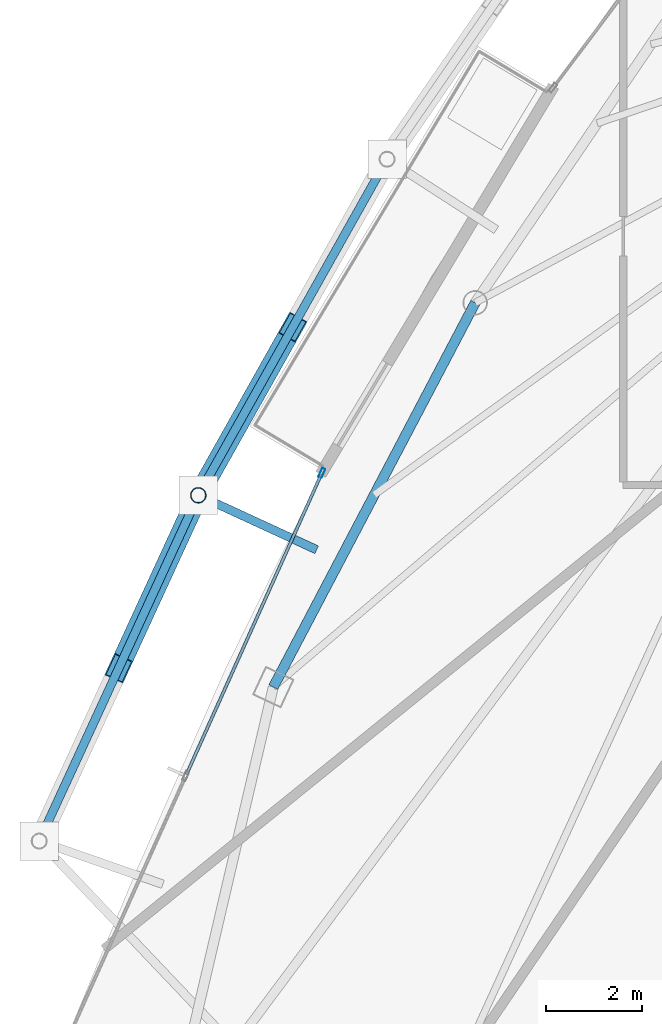
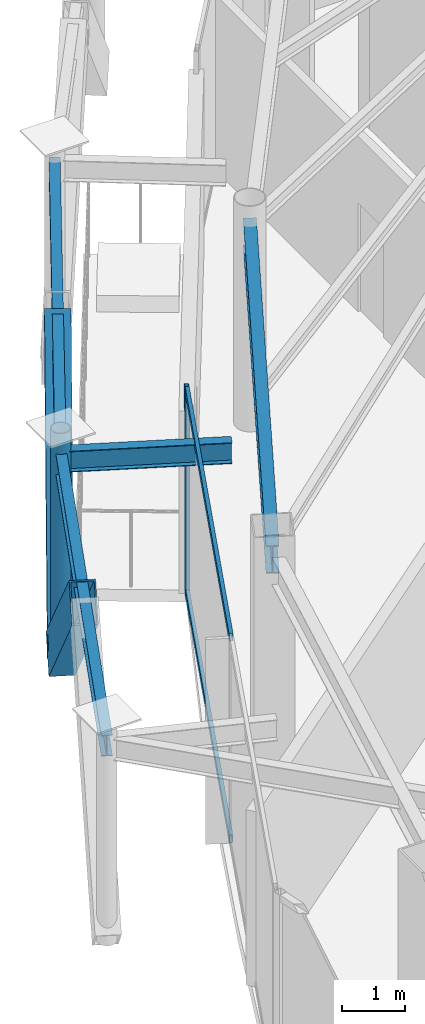
# One storey, part 8 of 22: 6 members, 4 beams, 1 element without a shape of its own.
"""IFC4 building model written with IfcOpenShell, lengths in metres."""

from ifc_helpers import new_model, si_unit, direction, frame, origin, origin_2d, place, context, subcontext, project, spatial, hollow_rectangle, hollow_circle, i_section, extrude, material, layer, layer_set, material_profile, profile_set, type_object, element, aggregate, save


model = new_model("IFC4")

# Units and contexts
model_context = context("Model", 3, precision=1e-05, world=origin(), true_north=direction((0.0, 1.0)))
body_context = subcontext(model_context, "Body", "Model", "MODEL_VIEW")
ifc_project = project(units=[si_unit("LENGTHUNIT", "METRE"), si_unit("AREAUNIT", "SQUARE_METRE"), si_unit("VOLUMEUNIT", "CUBIC_METRE"), si_unit("PLANEANGLEUNIT", "RADIAN"), si_unit("MASSUNIT", "GRAM", prefix="KILO")], contexts=[model_context])

# Site, building, storey
site_placement = place(None, origin())
site = spatial("IfcSite", under=ifc_project, at=site_placement, CompositionType="ELEMENT")
building_placement = place(site_placement, origin())
building = spatial("IfcBuilding", under=site, at=building_placement, Name="Orvanel Arch Residences", CompositionType="ELEMENT")
storey_placement = place(building_placement, frame((0.0, 0.0, 276.64990234375)))
storey = spatial("IfcBuildingStorey", under=building, at=storey_placement, Name="L79", CompositionType="ELEMENT", Elevation=276.64990234375)

# Members
ifc_material_1 = material(Name="Structural steel AS/NZS 3678 Grade 350", Category="steel")
ifc_material_profile_1 = material_profile(ifc_material_1, hollow_rectangle(XDim=0.419921875, YDim=0.719970703125, WallThickness=0.02490234375, at=origin_2d()), Name="RHS720x420x25")
ifc_profile_set_1 = profile_set([ifc_material_profile_1], Name="Structural steel AS/NZS 3678 Grade 350")
member_type_1 = type_object("IfcMemberType", Name="BR-720RHS-EXT", PredefinedType="BRACE", material=ifc_profile_set_1)
member_1_placement = place(storey_placement, frame((14.806884765625, 23.634033203125, 0.0), z_axis=(0.357794266116, 0.637225139206, 0.682588737893), x_axis=(-0.871952337012, 0.489590769909, 0.0)))
element("IfcMember", 1, at=member_1_placement, inside=storey, type_object=member_type_1, Name="L79 Exterior Sky-Garden V-Frame Chevron F1B2.2", PredefinedType="BRACE", context=body_context, shape_type="SweptSolid", body=[
    extrude(hollow_rectangle(XDim=0.419921875, YDim=0.719970703125, WallThickness=0.02490234375, at=origin_2d()), origin(), (0.0, 0.0, 1.0), 5.489501953125),
])
member_2_placement = place(storey_placement, frame((14.806884765625, 23.634033203125, 0.0), z_axis=(-0.303680199898, -0.66001083693, 0.687141929535), x_axis=(0.908451143188, -0.417991053062, 0.0)))
element("IfcMember", 2, at=member_2_placement, inside=storey, type_object=member_type_1, Name="L79 Exterior Sky-Garden V-Frame Chevron F1B3.1", PredefinedType="BRACE", context=body_context, shape_type="SweptSolid", body=[
    extrude(hollow_rectangle(XDim=0.419921875, YDim=0.719970703125, WallThickness=0.02490234375, at=origin_2d()), origin(), (0.0, 0.0, 1.0), 5.453125),
])

# Curtain wall, member
ifc_material_2 = material(Name="Bronze-anodised aluminium AA6063-T6", Category="aluminium")
ifc_layer = layer(ifc_material_2, 0.195068359375)
ifc_layer_set = layer_set([ifc_layer], Name="Bronze-anodised aluminium AA6063-T6")
curtain_wall_type = type_object("IfcCurtainWallType", Name="CW6-COM-SYS", PredefinedType="NOTDEFINED", material=ifc_layer_set)
curtain_wall_placement = place(storey_placement, origin())
curtain_wall = element("IfcCurtainWall", 3, at=curtain_wall_placement, inside=storey, type_object=curtain_wall_type, Name="L79 CW6-COM-SYS Unitised Curtain Wall", PredefinedType="NOTDEFINED")
ifc_material_profile_2 = material_profile(ifc_material_2, hollow_rectangle(XDim=0.074951171875, YDim=0.199951171875, WallThickness=0.0048828125, at=origin_2d()), Name="ALU200x75x5")
ifc_profile_set_2 = profile_set([ifc_material_profile_2], Name="Bronze-anodised aluminium AA6063-T6")
member_type_2 = type_object("IfcMemberType", Name="MUL-200x75", PredefinedType="MULLION", material=ifc_profile_set_2)
member_3_placement = place(storey_placement, frame((17.378662109375, 24.100830078125, 0.0), z_axis=(0.0, 0.0, 1.0), x_axis=(0.91225362662, -0.409625830142, 0.0)))
member_3 = element("IfcMember", 4, at=member_3_placement, type_object=member_type_2, Name="CW-S6 mullion 1", PredefinedType="MULLION", context=body_context, shape_type="SweptSolid", body=[
    extrude(hollow_rectangle(XDim=0.074951171875, YDim=0.199951171875, WallThickness=0.0048828125, at=origin_2d()), origin(), (0.0, 0.0, 1.0), 3.9501953125),
])

# Beams
ifc_material_3 = material(Name="Structural steel AS/NZS 3679.1 Grade 300 (300 MPa)", Category="steel")
ifc_material_profile_3 = material_profile(ifc_material_3, i_section(OverallWidth=0.177978515625, OverallDepth=0.406005859375, WebThickness=0.0078125, FlangeThickness=0.0126953125, at=origin_2d()), Name="410UB59.7")
ifc_profile_set_3 = profile_set([ifc_material_profile_3], Name="Structural steel AS/NZS 3679.1 Grade 300 (300 MPa)")
beam_type_1 = type_object("IfcBeamType", Name="OB-410UB-EXT", PredefinedType="SPANDREL", material=ifc_profile_set_3)
beam_1_placement = place(storey_placement, frame((18.735107421875, 30.62890625, 3.7470703125), z_axis=(-0.489655726269, -0.871915861613, 0.0), x_axis=(0.871915861613, -0.489655726269, 0.0)))
element("IfcBeam", 5, at=beam_1_placement, inside=storey, type_object=beam_type_1, Name="L79 Outer Perimeter Floor Ring Beam 02", PredefinedType="SPANDREL", context=body_context, shape_type="SweptSolid", body=[
    extrude(i_section(OverallWidth=0.177978515625, OverallDepth=0.406005859375, WebThickness=0.0078125, FlangeThickness=0.0126953125, at=origin_2d()), origin(), (0.0, 0.0, 1.0), 8.0224609375),
])
beam_2_placement = place(storey_placement, frame((17.27001953125, 22.5, 3.7470703125), z_axis=(-0.908351621436, 0.418207283335, 0.0), x_axis=(-0.418207283335, -0.908351621436, 0.0)))
element("IfcBeam", 6, at=beam_2_placement, inside=storey, type_object=beam_type_1, Name="L79 Outer Frame Radial Tie Beam 03", PredefinedType="SPANDREL", context=body_context, shape_type="SweptSolid", body=[
    extrude(i_section(OverallWidth=0.177978515625, OverallDepth=0.406005859375, WebThickness=0.0078125, FlangeThickness=0.0126953125, at=origin_2d()), origin(), (0.0, 0.0, 1.0), 2.711669921875),
])
beam_3_placement = place(storey_placement, frame((14.806884765625, 23.634033203125, 3.7470703125), z_axis=(-0.418024129196, -0.908435923668, 0.0), x_axis=(0.908435923668, -0.418024129196, 0.0)))
element("IfcBeam", 7, at=beam_3_placement, inside=storey, type_object=beam_type_1, Name="L79 Outer Perimeter Floor Ring Beam 03", PredefinedType="SPANDREL", context=body_context, shape_type="SweptSolid", body=[
    extrude(i_section(OverallWidth=0.177978515625, OverallDepth=0.406005859375, WebThickness=0.0078125, FlangeThickness=0.0126953125, at=origin_2d()), origin(), (0.0, 0.0, 1.0), 7.92236328125),
])
ifc_material_profile_4 = material_profile(ifc_material_3, i_section(OverallWidth=0.208984375, OverallDepth=0.532958984375, WebThickness=0.01025390625, FlangeThickness=0.015625, at=origin_2d()), Name="530UB92.4")
ifc_profile_set_4 = profile_set([ifc_material_profile_4], Name="Structural steel AS/NZS 3679.1 Grade 300 (300 MPa)")
beam_type_2 = type_object("IfcBeamType", Name="SP-530UB", PredefinedType="SPANDREL", material=ifc_profile_set_4)
beam_4_placement = place(storey_placement, frame((20.569091796875, 27.64111328125, 3.68408203125), z_axis=(-0.465064762793, -0.885276660942, 0.0), x_axis=(0.885276660942, -0.465064762793, 0.0)))
element("IfcBeam", 8, at=beam_4_placement, inside=storey, type_object=beam_type_2, Name="L79 Perimeter Spandrel Beam 12", PredefinedType="SPANDREL", context=body_context, shape_type="SweptSolid", body=[
    extrude(i_section(OverallWidth=0.208984375, OverallDepth=0.532958984375, WebThickness=0.01025390625, FlangeThickness=0.015625, at=origin_2d()), origin(), (0.0, 0.0, 1.0), 9.03564453125),
])

# Member
ifc_material_4 = material(Name="Structural steel AS/NZS 1163 C350L0 (Grade 350)", Category="steel")
ifc_material_profile_5 = material_profile(ifc_material_4, hollow_circle(Radius=0.162109375, WallThickness=0.0126953125, at=origin_2d()), Name="CHS324x12.7")
ifc_profile_set_5 = profile_set([ifc_material_profile_5], Name="Structural steel AS/NZS 1163 C350L0 (Grade 350)")
member_type_3 = type_object("IfcMemberType", Name="ST-324CHS-EXT", PredefinedType="STRUT", material=ifc_profile_set_5)
member_4_placement = place(storey_placement, frame((14.806884765625, 23.634033203125, 0.0), z_axis=(0.0, 0.0, 1.0), x_axis=(1.0, 0.0, 0.0)))
element("IfcMember", 9, at=member_4_placement, inside=storey, type_object=member_type_3, Name="L79 Outer Perimeter Frame Post 03", PredefinedType="STRUT", context=body_context, shape_type="SweptSolid", body=[
    extrude(hollow_circle(Radius=0.162109375, WallThickness=0.0126953125, at=origin_2d()), origin(), (0.0, 0.0, 1.0), 4.35009765625),
])

ifc_material_profile_6 = material_profile(ifc_material_2, hollow_rectangle(XDim=0.06494140625, YDim=0.14990234375, WallThickness=0.00390625, at=origin_2d()), Name="ALU150x65x4")
ifc_profile_set_6 = profile_set([ifc_material_profile_6], Name="Bronze-anodised aluminium AA6063-T6")
member_type_4 = type_object("IfcMemberType", Name="TRN-150x65", PredefinedType="USERDEFINED", material=ifc_profile_set_6)
member_5_placement = place(storey_placement, frame((17.36328125, 24.066650390625, 0.03271484375), z_axis=(-0.409629812093, -0.912251838609, 0.0), x_axis=(0.912251838609, -0.409629812093, 0.0)))
member_5 = element("IfcMember", 10, at=member_5_placement, type_object=member_type_4, Name="CW-S6 transom 1.1", ObjectType="TRANSOM", PredefinedType="USERDEFINED", context=body_context, shape_type="SweptSolid", body=[
    extrude(hollow_rectangle(XDim=0.06494140625, YDim=0.14990234375, WallThickness=0.00390625, at=origin_2d()), origin(), (0.0, 0.0, 1.0), 6.839111328125),
])

member_6_placement = place(storey_placement, frame((17.36328125, 24.066650390625, 3.91748046875), z_axis=(-0.409629812093, -0.912251838609, 0.0), x_axis=(0.912251838609, -0.409629812093, 0.0)))
member_6 = element("IfcMember", 11, at=member_6_placement, type_object=member_type_4, Name="CW-S6 transom 1.2", ObjectType="TRANSOM", PredefinedType="USERDEFINED", context=body_context, shape_type="SweptSolid", body=[
    extrude(hollow_rectangle(XDim=0.06494140625, YDim=0.14990234375, WallThickness=0.00390625, at=origin_2d()), origin(), (0.0, 0.0, 1.0), 6.839111328125),
])

aggregate(curtain_wall, [member_3, member_5, member_6])

save(model, "model.ifc")
